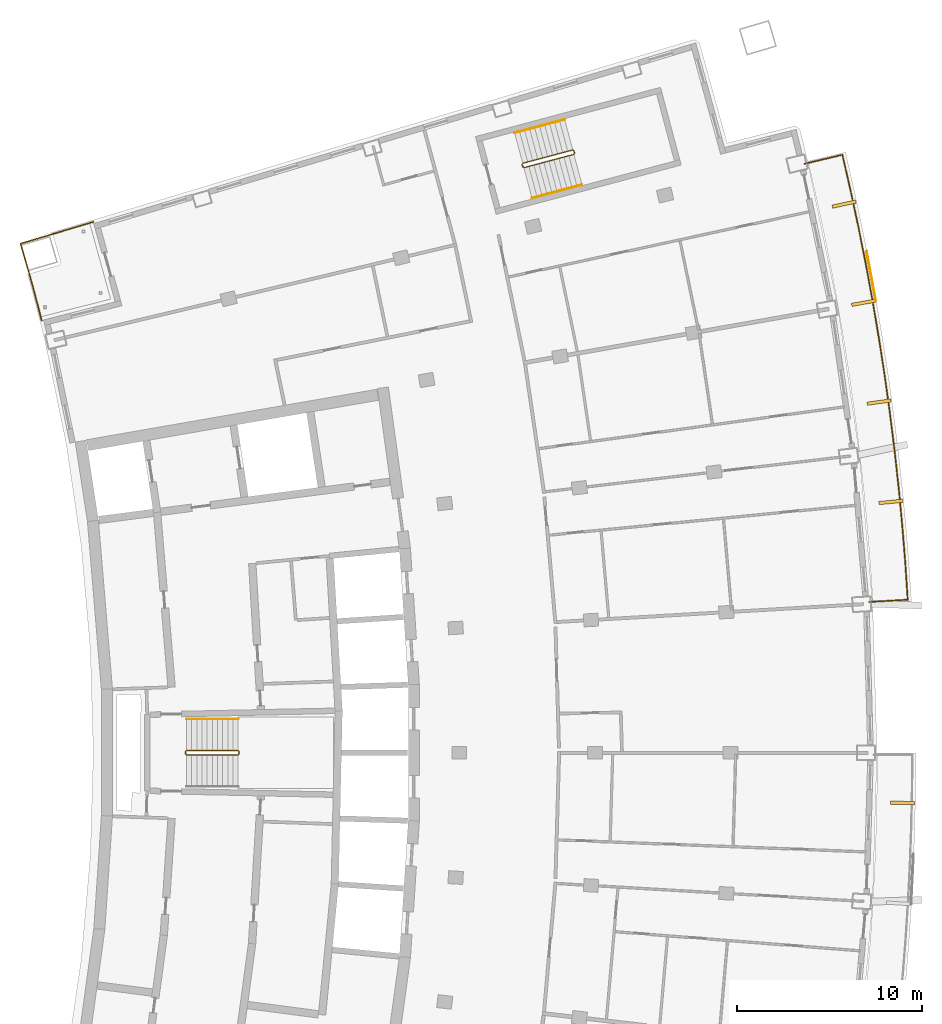
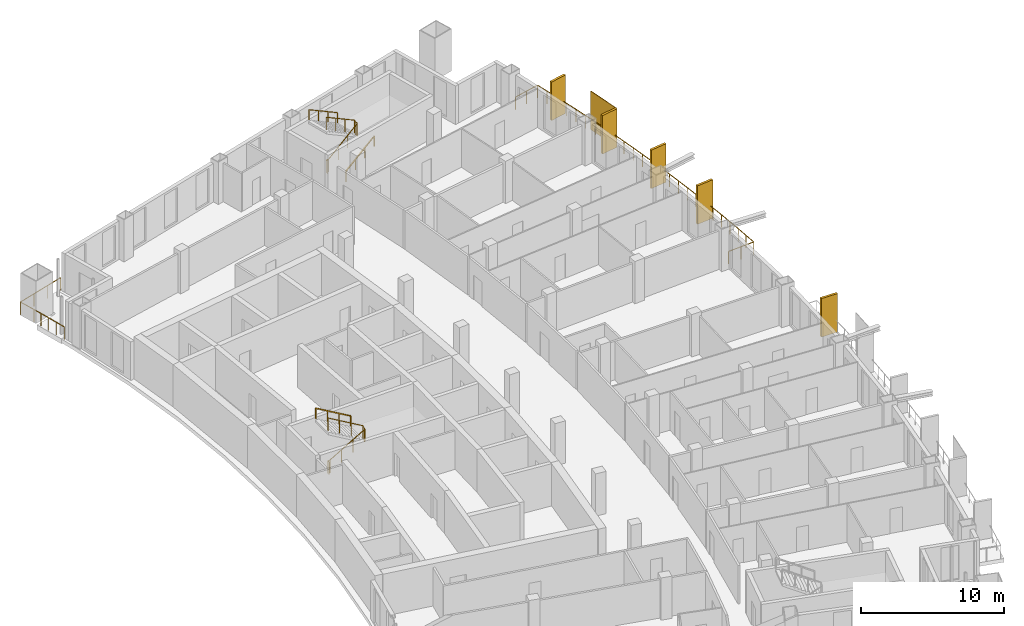
# One storey, part 17 of 17: 7 railings, 6 shading devices.
"""IFC4 building model written with IfcOpenShell, lengths in metres."""

from ifc_helpers import new_model, si_unit, direction, frame, origin, origin_2d, place, context, subcontext, project, spatial, rectangle, extrude, material, layer, layer_set, type_object, element, save


model = new_model("IFC4")

# Units and contexts
model_context = context("Model", 3, precision=1e-05, world=origin(), true_north=direction((0.0, 1.0)))
body_context = subcontext(model_context, "Body", "Model", "MODEL_VIEW")
ifc_project = project(units=[si_unit("LENGTHUNIT", "METRE"), si_unit("AREAUNIT", "SQUARE_METRE"), si_unit("VOLUMEUNIT", "CUBIC_METRE"), si_unit("PLANEANGLEUNIT", "RADIAN"), si_unit("MASSUNIT", "GRAM", prefix="KILO")], contexts=[model_context])

# Site, building, storey
site_placement = place(None, origin())
site = spatial("IfcSite", under=ifc_project, at=site_placement, CompositionType="ELEMENT")
building_placement = place(site_placement, origin())
building = spatial("IfcBuilding", under=site, at=building_placement, Name="Alderwake Tower", CompositionType="ELEMENT")
storey_placement = place(building_placement, frame((0.0, 0.0, 214.39990234375)))
storey = spatial("IfcBuildingStorey", under=building, at=storey_placement, Name="L53", CompositionType="ELEMENT", Elevation=214.39990234375)

# Railings
ifc_material_1 = material(Name="Stainless steel 316 rail and posts", Category="steel")
railing_type_1 = type_object("IfcRailingType", Name="Balcony guard 1100", PredefinedType="GUARDRAIL", material=ifc_material_1)
railing_1_placement = place(storey_placement, frame((57.959228515625, 69.155517578125, 0.0)))
element("IfcRailing", 1, at=railing_1_placement, inside=storey, type_object=railing_type_1, Name="Guard BF08", PredefinedType="GUARDRAIL", context=body_context, shape_type="SweptSolid", body=[
    extrude(rectangle(XDim=0.048095703125, YDim=0.048095703125, at=origin_2d()), frame((0.0, 0.0, 1.076171875), z_axis=(0.998261117553, 0.058946935313, 0.0), x_axis=(-0.058946935313, 0.998261117553, 0.0)), (0.0, 0.0, 1.0), 2.099853515625),
    extrude(rectangle(XDim=0.048095703125, YDim=0.048095703125, at=origin_2d()), frame((2.09619140625, 0.123779296875, 1.076171875), z_axis=(-0.065861216536, 0.997828793008, 0.0), x_axis=(-0.997828793008, -0.065861216536, 0.0)), (0.0, 0.0, 1.0), 1.946044921875),
    extrude(rectangle(XDim=0.048095703125, YDim=0.048095703125, at=origin_2d()), frame((1.968017578125, 2.065673828125, 1.076171875), z_axis=(-0.080191048977, 0.996779512061, 0.0), x_axis=(-0.996779512061, -0.080191048977, 0.0)), (0.0, 0.0, 1.0), 2.0458984375),
    extrude(rectangle(XDim=0.048095703125, YDim=0.048095703125, at=origin_2d()), frame((1.803955078125, 4.10498046875, 1.076171875), z_axis=(-0.094623268612, 0.995513152619, 0.0), x_axis=(-0.995513152619, -0.094623268612, 0.0)), (0.0, 0.0, 1.0), 2.046142578125),
    extrude(rectangle(XDim=0.048095703125, YDim=0.048095703125, at=origin_2d()), frame((1.6103515625, 6.141845703125, 1.076171875), z_axis=(-0.109174253205, 0.994022626723, 0.0), x_axis=(-0.994022626723, -0.109174253205, 0.0)), (0.0, 0.0, 1.0), 2.046142578125),
    extrude(rectangle(XDim=0.048095703125, YDim=0.048095703125, at=origin_2d()), frame((1.386962890625, 8.17578125, 1.076171875), z_axis=(-0.123623502309, 0.992329194208, 0.0), x_axis=(-0.992329194208, -0.123623502309, 0.0)), (0.0, 0.0, 1.0), 2.0458984375),
    extrude(rectangle(XDim=0.048095703125, YDim=0.048095703125, at=origin_2d()), frame((1.134033203125, 10.2060546875, 1.076171875), z_axis=(-0.138062649027, 0.990423497774, 0.0), x_axis=(-0.990423497774, -0.138062649027, 0.0)), (0.0, 0.0, 1.0), 2.0458984375),
    extrude(rectangle(XDim=0.048095703125, YDim=0.048095703125, at=origin_2d()), frame((0.8515625, 12.232421875, 1.076171875), z_axis=(-0.152487539839, 0.988305393183, 0.0), x_axis=(-0.988305393183, -0.152487539839, 0.0)), (0.0, 0.0, 1.0), 2.046142578125),
    extrude(rectangle(XDim=0.048095703125, YDim=0.048095703125, at=origin_2d()), frame((0.53955078125, 14.254638671875, 1.076171875), z_axis=(-0.167049252433, 0.985948552036, 0.0), x_axis=(-0.985948552036, -0.167049252433, 0.0)), (0.0, 0.0, 1.0), 2.046142578125),
    extrude(rectangle(XDim=0.048095703125, YDim=0.048095703125, at=origin_2d()), frame((0.19775390625, 16.27197265625, 1.076171875), z_axis=(-0.181268734219, 0.983433600196, 0.0), x_axis=(-0.983433600196, -0.181268734219, 0.0)), (0.0, 0.0, 1.0), 2.0458984375),
    extrude(rectangle(XDim=0.048095703125, YDim=0.048095703125, at=origin_2d()), frame((-0.173095703125, 18.283935546875, 1.076171875), z_axis=(-0.195565396752, 0.98069066254, 0.0), x_axis=(-0.98069066254, -0.195565396752, 0.0)), (0.0, 0.0, 1.0), 2.046142578125),
    extrude(rectangle(XDim=0.048095703125, YDim=0.048095703125, at=origin_2d()), frame((-0.5732421875, 20.29052734375, 1.076171875), z_axis=(-0.209912112269, 0.977720259135, 0.0), x_axis=(-0.977720259135, -0.209912112269, 0.0)), (0.0, 0.0, 1.0), 2.0458984375),
    extrude(rectangle(XDim=0.048095703125, YDim=0.048095703125, at=origin_2d()), frame((-1.002685546875, 22.290771484375, 1.076171875), z_axis=(-0.22380572243, 0.97463377666, 0.0), x_axis=(-0.97463377666, -0.22380572243, 0.0)), (0.0, 0.0, 1.0), 1.946044921875),
    extrude(rectangle(XDim=0.048095703125, YDim=0.048095703125, at=origin_2d()), frame((-1.438232421875, 24.1875, 1.076171875), z_axis=(-0.973057638874, -0.230561990427, 0.0), x_axis=(0.230561990427, -0.973057638874, 0.0)), (0.0, 0.0, 1.0), 2.099853515625),
    extrude(rectangle(XDim=0.0419921875, YDim=0.0419921875, at=origin_2d()), frame((0.0, 0.0, 0.0), z_axis=(0.0, 0.0, 1.0), x_axis=(0.998261117553, 0.058946935313, 0.0)), (0.0, 0.0, 1.0), 1.052001953125),
    extrude(rectangle(XDim=0.0419921875, YDim=0.0419921875, at=origin_2d()), frame((1.048095703125, 0.06201171875, 0.0), z_axis=(0.0, 0.0, 1.0), x_axis=(0.998261117553, 0.058946935313, 0.0)), (0.0, 0.0, 1.0), 1.052001953125),
    extrude(rectangle(XDim=0.0419921875, YDim=0.0419921875, at=origin_2d()), frame((2.09619140625, 0.123779296875, 0.0), z_axis=(0.0, 0.0, 1.0), x_axis=(-0.065861216536, 0.997828793008, 0.0)), (0.0, 0.0, 1.0), 1.052001953125),
    extrude(rectangle(XDim=0.0419921875, YDim=0.0419921875, at=origin_2d()), frame((2.0322265625, 1.0947265625, 0.0), z_axis=(0.0, 0.0, 1.0), x_axis=(-0.065861216536, 0.997828793008, 0.0)), (0.0, 0.0, 1.0), 1.052001953125),
    extrude(rectangle(XDim=0.0419921875, YDim=0.0419921875, at=origin_2d()), frame((1.968017578125, 2.065673828125, 0.0), z_axis=(0.0, 0.0, 1.0), x_axis=(-0.080191048977, 0.996779512061, 0.0)), (0.0, 0.0, 1.0), 1.052001953125),
    extrude(rectangle(XDim=0.0419921875, YDim=0.0419921875, at=origin_2d()), frame((1.885986328125, 3.08544921875, 0.0), z_axis=(0.0, 0.0, 1.0), x_axis=(-0.080191048977, 0.996779512061, 0.0)), (0.0, 0.0, 1.0), 1.052001953125),
    extrude(rectangle(XDim=0.0419921875, YDim=0.0419921875, at=origin_2d()), frame((1.803955078125, 4.10498046875, 0.0), z_axis=(0.0, 0.0, 1.0), x_axis=(-0.094623268612, 0.995513152619, 0.0)), (0.0, 0.0, 1.0), 1.052001953125),
    extrude(rectangle(XDim=0.0419921875, YDim=0.0419921875, at=origin_2d()), frame((1.70703125, 5.12353515625, 0.0), z_axis=(0.0, 0.0, 1.0), x_axis=(-0.094623268612, 0.995513152619, 0.0)), (0.0, 0.0, 1.0), 1.052001953125),
    extrude(rectangle(XDim=0.0419921875, YDim=0.0419921875, at=origin_2d()), frame((1.6103515625, 6.141845703125, 0.0), z_axis=(0.0, 0.0, 1.0), x_axis=(-0.109174253205, 0.994022626723, 0.0)), (0.0, 0.0, 1.0), 1.052001953125),
    extrude(rectangle(XDim=0.0419921875, YDim=0.0419921875, at=origin_2d()), frame((1.49853515625, 7.15869140625, 0.0), z_axis=(0.0, 0.0, 1.0), x_axis=(-0.109174253205, 0.994022626723, 0.0)), (0.0, 0.0, 1.0), 1.052001953125),
    extrude(rectangle(XDim=0.0419921875, YDim=0.0419921875, at=origin_2d()), frame((1.386962890625, 8.17578125, 0.0), z_axis=(0.0, 0.0, 1.0), x_axis=(-0.123623502309, 0.992329194208, 0.0)), (0.0, 0.0, 1.0), 1.052001953125),
    extrude(rectangle(XDim=0.0419921875, YDim=0.0419921875, at=origin_2d()), frame((1.260498046875, 9.19091796875, 0.0), z_axis=(0.0, 0.0, 1.0), x_axis=(-0.123623502309, 0.992329194208, 0.0)), (0.0, 0.0, 1.0), 1.052001953125),
    extrude(rectangle(XDim=0.0419921875, YDim=0.0419921875, at=origin_2d()), frame((1.134033203125, 10.2060546875, 0.0), z_axis=(0.0, 0.0, 1.0), x_axis=(-0.138062649027, 0.990423497774, 0.0)), (0.0, 0.0, 1.0), 1.052001953125),
    extrude(rectangle(XDim=0.0419921875, YDim=0.0419921875, at=origin_2d()), frame((0.99267578125, 11.21923828125, 0.0), z_axis=(0.0, 0.0, 1.0), x_axis=(-0.138062649027, 0.990423497774, 0.0)), (0.0, 0.0, 1.0), 1.052001953125),
    extrude(rectangle(XDim=0.0419921875, YDim=0.0419921875, at=origin_2d()), frame((0.8515625, 12.232421875, 0.0), z_axis=(0.0, 0.0, 1.0), x_axis=(-0.152487539839, 0.988305393183, 0.0)), (0.0, 0.0, 1.0), 1.052001953125),
    extrude(rectangle(XDim=0.0419921875, YDim=0.0419921875, at=origin_2d()), frame((0.695556640625, 13.24365234375, 0.0), z_axis=(0.0, 0.0, 1.0), x_axis=(-0.152487539839, 0.988305393183, 0.0)), (0.0, 0.0, 1.0), 1.052001953125),
    extrude(rectangle(XDim=0.0419921875, YDim=0.0419921875, at=origin_2d()), frame((0.53955078125, 14.254638671875, 0.0), z_axis=(0.0, 0.0, 1.0), x_axis=(-0.167049252433, 0.985948552036, 0.0)), (0.0, 0.0, 1.0), 1.052001953125),
    extrude(rectangle(XDim=0.0419921875, YDim=0.0419921875, at=origin_2d()), frame((0.36865234375, 15.26318359375, 0.0), z_axis=(0.0, 0.0, 1.0), x_axis=(-0.167049252433, 0.985948552036, 0.0)), (0.0, 0.0, 1.0), 1.052001953125),
    extrude(rectangle(XDim=0.0419921875, YDim=0.0419921875, at=origin_2d()), frame((0.19775390625, 16.27197265625, 0.0), z_axis=(0.0, 0.0, 1.0), x_axis=(-0.181268734219, 0.983433600196, 0.0)), (0.0, 0.0, 1.0), 1.052001953125),
    extrude(rectangle(XDim=0.0419921875, YDim=0.0419921875, at=origin_2d()), frame((0.01220703125, 17.27783203125, 0.0), z_axis=(0.0, 0.0, 1.0), x_axis=(-0.181268734219, 0.983433600196, 0.0)), (0.0, 0.0, 1.0), 1.052001953125),
    extrude(rectangle(XDim=0.0419921875, YDim=0.0419921875, at=origin_2d()), frame((-0.173095703125, 18.283935546875, 0.0), z_axis=(0.0, 0.0, 1.0), x_axis=(-0.195565396752, 0.98069066254, 0.0)), (0.0, 0.0, 1.0), 1.052001953125),
    extrude(rectangle(XDim=0.0419921875, YDim=0.0419921875, at=origin_2d()), frame((-0.373046875, 19.287109375, 0.0), z_axis=(0.0, 0.0, 1.0), x_axis=(-0.195565396752, 0.98069066254, 0.0)), (0.0, 0.0, 1.0), 1.052001953125),
    extrude(rectangle(XDim=0.0419921875, YDim=0.0419921875, at=origin_2d()), frame((-0.5732421875, 20.29052734375, 0.0), z_axis=(0.0, 0.0, 1.0), x_axis=(-0.209912112269, 0.977720259135, 0.0)), (0.0, 0.0, 1.0), 1.052001953125),
    extrude(rectangle(XDim=0.0419921875, YDim=0.0419921875, at=origin_2d()), frame((-0.7880859375, 21.29052734375, 0.0), z_axis=(0.0, 0.0, 1.0), x_axis=(-0.209912112269, 0.977720259135, 0.0)), (0.0, 0.0, 1.0), 1.052001953125),
    extrude(rectangle(XDim=0.0419921875, YDim=0.0419921875, at=origin_2d()), frame((-1.002685546875, 22.290771484375, 0.0), z_axis=(0.0, 0.0, 1.0), x_axis=(-0.22380572243, 0.97463377666, 0.0)), (0.0, 0.0, 1.0), 1.052001953125),
    extrude(rectangle(XDim=0.0419921875, YDim=0.0419921875, at=origin_2d()), frame((-1.220458984375, 23.2392578125, 0.0), z_axis=(0.0, 0.0, 1.0), x_axis=(-0.22380572243, 0.97463377666, 0.0)), (0.0, 0.0, 1.0), 1.052001953125),
    extrude(rectangle(XDim=0.0419921875, YDim=0.0419921875, at=origin_2d()), frame((-1.438232421875, 24.1875, 0.0), z_axis=(0.0, 0.0, 1.0), x_axis=(-0.973057638874, -0.230561990427, 0.0)), (0.0, 0.0, 1.0), 1.052001953125),
    extrude(rectangle(XDim=0.0419921875, YDim=0.0419921875, at=origin_2d()), frame((-2.4599609375, 23.9453125, 0.0), z_axis=(0.0, 0.0, 1.0), x_axis=(-0.973057638874, -0.230561990427, 0.0)), (0.0, 0.0, 1.0), 1.052001953125),
    extrude(rectangle(XDim=0.0419921875, YDim=0.0419921875, at=origin_2d()), frame((-3.4814453125, 23.703369140625, 0.0), z_axis=(0.0, 0.0, 1.0), x_axis=(-0.973057638874, -0.230561990427, 0.0)), (0.0, 0.0, 1.0), 1.052001953125),
])
railing_2_placement = place(storey_placement, frame((13.210693359375, 84.387451171875, 0.0)))
element("IfcRailing", 2, at=railing_2_placement, inside=storey, type_object=railing_type_1, Name="Guard terrace RN", PredefinedType="GUARDRAIL", context=body_context, shape_type="SweptSolid", body=[
    extrude(rectangle(XDim=0.048095703125, YDim=0.048095703125, at=origin_2d()), frame((0.0, 0.0, 1.076171875), z_axis=(-0.251385381433, 0.967887075026, 0.0), x_axis=(-0.967887075026, -0.251385381433, 0.0)), (0.0, 0.0, 1.0), 1.6015625),
    extrude(rectangle(XDim=0.048095703125, YDim=0.048095703125, at=origin_2d()), frame((-0.402587890625, 1.550048828125, 1.076171875), z_axis=(-0.266520638672, 0.963829211615, 0.0), x_axis=(-0.963829211615, -0.266520638672, 0.0)), (0.0, 0.0, 1.0), 1.401611328125),
    extrude(rectangle(XDim=0.048095703125, YDim=0.048095703125, at=origin_2d()), frame((-0.776123046875, 2.90087890625, 1.076171875), z_axis=(-0.280093650878, 0.959972680204, 0.0), x_axis=(-0.959972680204, -0.280093650878, 0.0)), (0.0, 0.0, 1.0), 1.30126953125),
    extrude(rectangle(XDim=0.048095703125, YDim=0.048095703125, at=origin_2d()), frame((-1.140625, 4.150146484375, 1.076171875), z_axis=(0.958066871889, 0.286544706789, 0.0), x_axis=(-0.286544706789, 0.958066871889, 0.0)), (0.0, 0.0, 1.0), 4.099853515625),
    extrude(rectangle(XDim=0.0419921875, YDim=0.0419921875, at=origin_2d()), frame((0.0, 0.0, 0.0), z_axis=(0.0, 0.0, 1.0), x_axis=(-0.251385381433, 0.967887075026, 0.0)), (0.0, 0.0, 1.0), 1.052001953125),
    extrude(rectangle(XDim=0.0419921875, YDim=0.0419921875, at=origin_2d()), frame((-0.201171875, 0.77490234375, 0.0), z_axis=(0.0, 0.0, 1.0), x_axis=(-0.251385381433, 0.967887075026, 0.0)), (0.0, 0.0, 1.0), 1.052001953125),
    extrude(rectangle(XDim=0.0419921875, YDim=0.0419921875, at=origin_2d()), frame((-0.402587890625, 1.550048828125, 0.0), z_axis=(0.0, 0.0, 1.0), x_axis=(-0.266520638672, 0.963829211615, 0.0)), (0.0, 0.0, 1.0), 1.052001953125),
    extrude(rectangle(XDim=0.0419921875, YDim=0.0419921875, at=origin_2d()), frame((-0.58935546875, 2.2255859375, 0.0), z_axis=(0.0, 0.0, 1.0), x_axis=(-0.266520638672, 0.963829211615, 0.0)), (0.0, 0.0, 1.0), 1.052001953125),
    extrude(rectangle(XDim=0.0419921875, YDim=0.0419921875, at=origin_2d()), frame((-0.776123046875, 2.90087890625, 0.0), z_axis=(0.0, 0.0, 1.0), x_axis=(-0.280093650878, 0.959972680204, 0.0)), (0.0, 0.0, 1.0), 1.052001953125),
    extrude(rectangle(XDim=0.0419921875, YDim=0.0419921875, at=origin_2d()), frame((-1.140625, 4.150146484375, 0.0), z_axis=(0.0, 0.0, 1.0), x_axis=(0.958066871889, 0.286544706789, 0.0)), (0.0, 0.0, 1.0), 1.052001953125),
    extrude(rectangle(XDim=0.0419921875, YDim=0.0419921875, at=origin_2d()), frame((0.168701171875, 4.541748046875, 0.0), z_axis=(0.0, 0.0, 1.0), x_axis=(0.958066871889, 0.286544706789, 0.0)), (0.0, 0.0, 1.0), 1.052001953125),
    extrude(rectangle(XDim=0.0419921875, YDim=0.0419921875, at=origin_2d()), frame((1.47802734375, 4.933349609375, 0.0), z_axis=(0.0, 0.0, 1.0), x_axis=(0.958066871889, 0.286544706789, 0.0)), (0.0, 0.0, 1.0), 1.052001953125),
    extrude(rectangle(XDim=0.0419921875, YDim=0.0419921875, at=origin_2d()), frame((2.787353515625, 5.324951171875, 0.0), z_axis=(0.0, 0.0, 1.0), x_axis=(0.958066871889, 0.286544706789, 0.0)), (0.0, 0.0, 1.0), 1.052001953125),
])

# Shading devices
ifc_material_2 = material(Name="Bronze anodised aluminium", Category="aluminium")
ifc_layer_1 = layer(ifc_material_2, 0.179931640625)
ifc_layer_set_1 = layer_set([ifc_layer_1], Name="Facade fin 1300")
shading_device_type_1 = type_object("IfcShadingDeviceType", Name="Facade fin 1300", PredefinedType="USERDEFINED", material=ifc_layer_set_1)
for number, where, z_axis, x_axis, name in (
    (3, (59.773681640625, 58.2880859375, 0.0), (0.0, 0.0, 1.0), (0.999811838809, -0.019398117887, 0.0), "Fin"),
    (4, (59.14013671875, 74.567138671875, 0.0), (0.0, 0.0, 1.0), (0.995279882363, 0.097046152751, 0.0), "Fin"),
    (5, (58.507080078125, 79.968017578125, 0.0), (0.0, 0.0, 1.0), (0.990752577235, 0.135680988728, 0.0), "Fin"),
    (6, (57.664794921875, 85.34033203125, 0.0), (0.0, 0.0, 1.0), (0.984726421654, 0.174108800747, 0.0), "Fin"),
    (7, (56.614013671875, 90.67578125, 0.0), (0.0, 0.0, 1.0), (0.977210363881, 0.212273184185, 0.0), "Fin"),
):
    element("IfcShadingDevice", number, at=place(storey_placement, frame(where, z_axis=z_axis, x_axis=x_axis)), inside=storey, type_object=shading_device_type_1, Name=name, ObjectType="FIN", PredefinedType="USERDEFINED", context=body_context, shape_type="SweptSolid", body=[
        extrude(rectangle(XDim=1.300048828125, YDim=0.179931640625, at=origin_2d()), origin(), (0.0, 0.0, 1.0), 3.280029296875),
    ])
ifc_material_3 = material(Name="Perforated bronze anodised aluminium", Category="aluminium")
ifc_layer_2 = layer(ifc_material_3, 0.050048828125)
ifc_layer_set_2 = layer_set([ifc_layer_2], Name="Perforated screen panel")
shading_device_type_2 = type_object("IfcShadingDeviceType", Name="Perforated screen panel", PredefinedType="USERDEFINED", material=ifc_layer_set_2)
shading_device_placement = place(storey_placement, frame((58.0791015625, 86.79736328125, 0.0), z_axis=(0.0, 0.0, 1.0), x_axis=(0.982991488043, 0.183651121519, 0.0)))
element("IfcShadingDevice", 8, at=shading_device_placement, inside=storey, type_object=shading_device_type_2, Name="Screen panel", ObjectType="SCREEN", PredefinedType="USERDEFINED", context=body_context, shape_type="SweptSolid", body=[
    extrude(rectangle(XDim=0.050048828125, YDim=2.72509765625, at=origin_2d()), origin(), (0.0, 0.0, 1.0), 3.280029296875),
])

# Railings
ifc_material_4 = material(Name="Stainless steel guard", Category="steel")
railing_type_2 = type_object("IfcRailingType", Name="Stair guard 1100", PredefinedType="GUARDRAIL", material=ifc_material_4)
railing_3_placement = place(storey_placement, frame((20.989990234375, 60.925048828125, 0.0)))
element("IfcRailing", 9, at=railing_3_placement, inside=storey, type_object=railing_type_2, Name="L53 ST-B stair guard 1", PredefinedType="GUARDRAIL", context=body_context, shape_type="SweptSolid", body=[
    extrude(rectangle(XDim=0.048095703125, YDim=0.048095703125, at=origin_2d()), frame((0.0, 0.0, 1.076171875), z_axis=(0.0, 1.0, 0.0), x_axis=(-1.0, 0.0, 0.0)), (0.0, 0.0, 1.0), 0.14990234375),
    extrude(rectangle(XDim=0.048095703125, YDim=0.048095703125, at=origin_2d()), frame((0.0, 0.14990234375, 1.076171875), z_axis=(0.190089865108, -0.759432192796, 0.622196582865), x_axis=(0.970072785993, 0.242814311512, 0.0)), (0.0, 0.0, 1.0), 0.26318359375),
    extrude(rectangle(XDim=0.048095703125, YDim=0.048095703125, at=origin_2d()), frame((0.050048828125, -0.050048828125, 1.23974609375), z_axis=(0.863393664356, 0.0, 0.504530851732), x_axis=(0.0, 1.0, 0.0)), (0.0, 0.0, 1.0), 3.2431640625),
    extrude(rectangle(XDim=0.048095703125, YDim=0.048095703125, at=origin_2d()), frame((2.85009765625, -0.050048828125, 2.8759765625), z_axis=(0.705375805398, 0.708833529934, 0.0), x_axis=(-0.708833529934, 0.705375805398, 0.0)), (0.0, 0.0, 1.0), 0.070556640625),
    extrude(rectangle(XDim=0.048095703125, YDim=0.048095703125, at=origin_2d()), frame((2.89990234375, 0.0, 2.8759765625), z_axis=(0.0, 1.0, 0.0), x_axis=(-1.0, 0.0, 0.0)), (0.0, 0.0, 1.0), 0.14990234375),
    extrude(rectangle(XDim=0.048095703125, YDim=0.048095703125, at=origin_2d()), frame((2.89990234375, 0.14990234375, 2.8759765625), z_axis=(-0.279546231943, 0.280916556609, 0.91811752648), x_axis=(-0.708833529934, -0.705375805398, 0.0)), (0.0, 0.0, 1.0), 0.17822265625),
    extrude(rectangle(XDim=0.048095703125, YDim=0.048095703125, at=origin_2d()), frame((2.85009765625, 0.199951171875, 3.03955078125), z_axis=(-0.863360870873, 0.0, 0.504586966384), x_axis=(0.0, -1.0, 0.0)), (0.0, 0.0, 1.0), 3.2431640625),
    extrude(rectangle(XDim=0.0419921875, YDim=0.0419921875, at=origin_2d()), frame((0.0, 0.0, 0.0), z_axis=(0.0, 0.0, 1.0), x_axis=(0.0, 1.0, 0.0)), (0.0, 0.0, 1.0), 1.052001953125),
    extrude(rectangle(XDim=0.0419921875, YDim=0.0419921875, at=origin_2d()), frame((0.0, 0.14990234375, 0.0), z_axis=(0.0, 0.0, 1.0), x_axis=(0.242814311512, -0.970072785993, 0.0)), (0.0, 0.0, 1.0), 1.052001953125),
    extrude(rectangle(XDim=0.0419921875, YDim=0.0419921875, at=origin_2d()), frame((0.050048828125, -0.050048828125, 0.163818359375), z_axis=(0.0, 0.0, 1.0), x_axis=(1.0, 0.0, 0.0)), (0.0, 0.0, 1.0), 1.052001953125),
    extrude(rectangle(XDim=0.0419921875, YDim=0.0419921875, at=origin_2d()), frame((0.9833984375, -0.050048828125, 0.709228515625), z_axis=(0.0, 0.0, 1.0), x_axis=(1.0, 0.0, 0.0)), (0.0, 0.0, 1.0), 1.052001953125),
    extrude(rectangle(XDim=0.0419921875, YDim=0.0419921875, at=origin_2d()), frame((1.916748046875, -0.050048828125, 1.254638671875), z_axis=(0.0, 0.0, 1.0), x_axis=(1.0, 0.0, 0.0)), (0.0, 0.0, 1.0), 1.052001953125),
    extrude(rectangle(XDim=0.0419921875, YDim=0.0419921875, at=origin_2d()), frame((2.85009765625, -0.050048828125, 1.800048828125), z_axis=(0.0, 0.0, 1.0), x_axis=(0.705375805398, 0.708833529934, 0.0)), (0.0, 0.0, 1.0), 1.052001953125),
    extrude(rectangle(XDim=0.0419921875, YDim=0.0419921875, at=origin_2d()), frame((2.89990234375, 0.0, 1.800048828125), z_axis=(0.0, 0.0, 1.0), x_axis=(0.0, 1.0, 0.0)), (0.0, 0.0, 1.0), 1.052001953125),
    extrude(rectangle(XDim=0.0419921875, YDim=0.0419921875, at=origin_2d()), frame((2.89990234375, 0.14990234375, 1.800048828125), z_axis=(0.0, 0.0, 1.0), x_axis=(-0.705375805398, 0.708833529934, 0.0)), (0.0, 0.0, 1.0), 1.052001953125),
    extrude(rectangle(XDim=0.0419921875, YDim=0.0419921875, at=origin_2d()), frame((2.85009765625, 0.199951171875, 1.963623046875), z_axis=(0.0, 0.0, 1.0), x_axis=(-1.0, 0.0, 0.0)), (0.0, 0.0, 1.0), 1.052001953125),
    extrude(rectangle(XDim=0.0419921875, YDim=0.0419921875, at=origin_2d()), frame((1.916748046875, 0.199951171875, 2.509033203125), z_axis=(0.0, 0.0, 1.0), x_axis=(-1.0, 0.0, 0.0)), (0.0, 0.0, 1.0), 1.052001953125),
    extrude(rectangle(XDim=0.0419921875, YDim=0.0419921875, at=origin_2d()), frame((0.9833984375, 0.199951171875, 3.0546875), z_axis=(0.0, 0.0, 1.0), x_axis=(-1.0, 0.0, 0.0)), (0.0, 0.0, 1.0), 1.052001953125),
    extrude(rectangle(XDim=0.0419921875, YDim=0.0419921875, at=origin_2d()), frame((0.050048828125, 0.199951171875, 3.60009765625), z_axis=(0.0, 0.0, 1.0), x_axis=(-1.0, 0.0, 0.0)), (0.0, 0.0, 1.0), 1.052001953125),
])
railing_4_placement = place(storey_placement, frame((39.23291015625, 92.6806640625, 0.0)))
element("IfcRailing", 10, at=railing_4_placement, inside=storey, type_object=railing_type_2, Name="L53 ST-A stair guard 1", PredefinedType="GUARDRAIL", context=body_context, shape_type="SweptSolid", body=[
    extrude(rectangle(XDim=0.048095703125, YDim=0.048095703125, at=origin_2d()), frame((0.0, 0.0, 1.076171875), z_axis=(-0.257055032184, 0.966396766566, 0.0), x_axis=(-0.966396766566, -0.257055032184, 0.0)), (0.0, 0.0, 1.0), 0.150146484375),
    extrude(rectangle(XDim=0.048095703125, YDim=0.048095703125, at=origin_2d()), frame((-0.03857421875, 0.14501953125, 1.076171875), z_axis=(0.379152066478, -0.68506938173, 0.622031874345), x_axis=(0.874937996095, 0.484234966715, 0.0)), (0.0, 0.0, 1.0), 0.263427734375),
    extrude(rectangle(XDim=0.048095703125, YDim=0.048095703125, at=origin_2d()), frame((0.061279296875, -0.035400390625, 1.23974609375), z_axis=(0.834290631165, 0.222236594766, 0.504549342183), x_axis=(-0.257402139082, 0.966304371715, 0.0)), (0.0, 0.0, 1.0), 3.242919921875),
    extrude(rectangle(XDim=0.048095703125, YDim=0.048095703125, at=origin_2d()), frame((2.766845703125, 0.685302734375, 2.8759765625), z_axis=(0.500220121494, 0.865898279276, 0.0), x_axis=(-0.865898279276, 0.500220121494, 0.0)), (0.0, 0.0, 1.0), 0.07080078125),
    extrude(rectangle(XDim=0.048095703125, YDim=0.048095703125, at=origin_2d()), frame((2.80224609375, 0.74658203125, 2.8759765625), z_axis=(-0.257459803502, 0.966289009345, 0.0), x_axis=(-0.966289009345, -0.257459803502, 0.0)), (0.0, 0.0, 1.0), 0.14990234375),
    extrude(rectangle(XDim=0.048095703125, YDim=0.048095703125, at=origin_2d()), frame((2.763671875, 0.891357421875, 2.8759765625), z_axis=(-0.34252489212, 0.200034536998, 0.917966710881), x_axis=(-0.504300490226, -0.863528236688, 0.0)), (0.0, 0.0, 1.0), 0.17822265625),
    extrude(rectangle(XDim=0.048095703125, YDim=0.048095703125, at=origin_2d()), frame((2.70263671875, 0.927001953125, 3.03955078125), z_axis=(-0.834281824786, -0.222214197128, 0.504573768072), x_axis=(0.257380452725, -0.966310148221, 0.0)), (0.0, 0.0, 1.0), 3.2431640625),
    extrude(rectangle(XDim=0.0419921875, YDim=0.0419921875, at=origin_2d()), frame((0.0, 0.0, 0.0), z_axis=(0.0, 0.0, 1.0), x_axis=(-0.257055032184, 0.966396766566, 0.0)), (0.0, 0.0, 1.0), 1.052001953125),
    extrude(rectangle(XDim=0.0419921875, YDim=0.0419921875, at=origin_2d()), frame((-0.03857421875, 0.14501953125, 0.0), z_axis=(0.0, 0.0, 1.0), x_axis=(0.484234966715, -0.874937996095, 0.0)), (0.0, 0.0, 1.0), 1.052001953125),
    extrude(rectangle(XDim=0.0419921875, YDim=0.0419921875, at=origin_2d()), frame((0.061279296875, -0.035400390625, 0.163818359375), z_axis=(0.0, 0.0, 1.0), x_axis=(0.966304371715, 0.257402139082, 0.0)), (0.0, 0.0, 1.0), 1.052001953125),
    extrude(rectangle(XDim=0.0419921875, YDim=0.0419921875, at=origin_2d()), frame((0.963134765625, 0.204833984375, 0.709228515625), z_axis=(0.0, 0.0, 1.0), x_axis=(0.966304371715, 0.257402139082, 0.0)), (0.0, 0.0, 1.0), 1.052001953125),
    extrude(rectangle(XDim=0.0419921875, YDim=0.0419921875, at=origin_2d()), frame((1.864990234375, 0.445068359375, 1.254638671875), z_axis=(0.0, 0.0, 1.0), x_axis=(0.966304371715, 0.257402139082, 0.0)), (0.0, 0.0, 1.0), 1.052001953125),
    extrude(rectangle(XDim=0.0419921875, YDim=0.0419921875, at=origin_2d()), frame((2.766845703125, 0.685302734375, 1.800048828125), z_axis=(0.0, 0.0, 1.0), x_axis=(0.500220121494, 0.865898279276, 0.0)), (0.0, 0.0, 1.0), 1.052001953125),
    extrude(rectangle(XDim=0.0419921875, YDim=0.0419921875, at=origin_2d()), frame((2.80224609375, 0.74658203125, 1.800048828125), z_axis=(0.0, 0.0, 1.0), x_axis=(-0.257459803502, 0.966289009345, 0.0)), (0.0, 0.0, 1.0), 1.052001953125),
    extrude(rectangle(XDim=0.0419921875, YDim=0.0419921875, at=origin_2d()), frame((2.763671875, 0.891357421875, 1.800048828125), z_axis=(0.0, 0.0, 1.0), x_axis=(-0.863528236688, 0.504300490226, 0.0)), (0.0, 0.0, 1.0), 1.052001953125),
    extrude(rectangle(XDim=0.0419921875, YDim=0.0419921875, at=origin_2d()), frame((2.70263671875, 0.927001953125, 1.963623046875), z_axis=(0.0, 0.0, 1.0), x_axis=(-0.966310148221, -0.257380452725, 0.0)), (0.0, 0.0, 1.0), 1.052001953125),
    extrude(rectangle(XDim=0.0419921875, YDim=0.0419921875, at=origin_2d()), frame((1.80078125, 0.686767578125, 2.509033203125), z_axis=(0.0, 0.0, 1.0), x_axis=(-0.966310148221, -0.257380452725, 0.0)), (0.0, 0.0, 1.0), 1.052001953125),
    extrude(rectangle(XDim=0.0419921875, YDim=0.0419921875, at=origin_2d()), frame((0.898681640625, 0.446533203125, 3.0546875), z_axis=(0.0, 0.0, 1.0), x_axis=(-0.966310148221, -0.257380452725, 0.0)), (0.0, 0.0, 1.0), 1.052001953125),
    extrude(rectangle(XDim=0.0419921875, YDim=0.0419921875, at=origin_2d()), frame((-0.003173828125, 0.206298828125, 3.60009765625), z_axis=(0.0, 0.0, 1.0), x_axis=(-0.966310148221, -0.257380452725, 0.0)), (0.0, 0.0, 1.0), 1.052001953125),
])
ifc_material_5 = material(Name="Stainless steel handrail", Category="steel")
railing_type_3 = type_object("IfcRailingType", Name="Stair handrail 900", PredefinedType="HANDRAIL", material=ifc_material_5)
railing_5_placement = place(storey_placement, frame((23.840087890625, 62.824951171875, 1.963623046875)))
element("IfcRailing", 11, at=railing_5_placement, inside=storey, type_object=railing_type_3, Name="L53 ST-B stair handrail 2", PredefinedType="HANDRAIL", context=body_context, shape_type="SweptSolid", body=[
    extrude(rectangle(XDim=0.048095703125, YDim=0.048095703125, at=origin_2d()), frame((0.0, 0.0, 0.8759765625), z_axis=(-0.863360870873, 0.0, 0.504586966384), x_axis=(0.0, -1.0, 0.0)), (0.0, 0.0, 1.0), 3.2431640625),
    extrude(rectangle(XDim=0.0419921875, YDim=0.0419921875, at=origin_2d()), frame((0.0, 0.0, 0.0), z_axis=(0.0, 0.0, 1.0), x_axis=(-1.0, 0.0, 0.0)), (0.0, 0.0, 1.0), 0.851806640625),
    extrude(rectangle(XDim=0.0419921875, YDim=0.0419921875, at=origin_2d()), frame((-0.933349609375, 0.0, 0.54541015625), z_axis=(0.0, 0.0, 1.0), x_axis=(-1.0, 0.0, 0.0)), (0.0, 0.0, 1.0), 0.851806640625),
    extrude(rectangle(XDim=0.0419921875, YDim=0.0419921875, at=origin_2d()), frame((-1.86669921875, 0.0, 1.091064453125), z_axis=(0.0, 0.0, 1.0), x_axis=(-1.0, 0.0, 0.0)), (0.0, 0.0, 1.0), 0.851806640625),
    extrude(rectangle(XDim=0.0419921875, YDim=0.0419921875, at=origin_2d()), frame((-2.800048828125, 0.0, 1.636474609375), z_axis=(0.0, 0.0, 1.0), x_axis=(-1.0, 0.0, 0.0)), (0.0, 0.0, 1.0), 0.851806640625),
])
railing_6_placement = place(storey_placement, frame((39.731689453125, 91.002685546875, 0.163818359375)))
element("IfcRailing", 12, at=railing_6_placement, inside=storey, type_object=railing_type_3, Name="L53 ST-A stair handrail 1", PredefinedType="HANDRAIL", context=body_context, shape_type="SweptSolid", body=[
    extrude(rectangle(XDim=0.048095703125, YDim=0.048095703125, at=origin_2d()), frame((0.0, 0.0, 0.8759765625), z_axis=(0.834290631165, 0.222236594766, 0.504549342183), x_axis=(-0.257402139082, 0.966304371715, 0.0)), (0.0, 0.0, 1.0), 3.242919921875),
    extrude(rectangle(XDim=0.0419921875, YDim=0.0419921875, at=origin_2d()), frame((0.0, 0.0, 0.0), z_axis=(0.0, 0.0, 1.0), x_axis=(0.966304371715, 0.257402139082, 0.0)), (0.0, 0.0, 1.0), 0.851806640625),
    extrude(rectangle(XDim=0.0419921875, YDim=0.0419921875, at=origin_2d()), frame((0.90185546875, 0.240234375, 0.54541015625), z_axis=(0.0, 0.0, 1.0), x_axis=(0.966304371715, 0.257402139082, 0.0)), (0.0, 0.0, 1.0), 0.851806640625),
    extrude(rectangle(XDim=0.0419921875, YDim=0.0419921875, at=origin_2d()), frame((1.8037109375, 0.48046875, 1.0908203125), z_axis=(0.0, 0.0, 1.0), x_axis=(0.966304371715, 0.257402139082, 0.0)), (0.0, 0.0, 1.0), 0.851806640625),
    extrude(rectangle(XDim=0.0419921875, YDim=0.0419921875, at=origin_2d()), frame((2.70556640625, 0.720703125, 1.63623046875), z_axis=(0.0, 0.0, 1.0), x_axis=(0.966304371715, 0.257402139082, 0.0)), (0.0, 0.0, 1.0), 0.851806640625),
])
railing_7_placement = place(storey_placement, frame((41.497802734375, 95.250244140625, 1.963623046875)))
element("IfcRailing", 13, at=railing_7_placement, inside=storey, type_object=railing_type_3, Name="L53 ST-A stair handrail 2", PredefinedType="HANDRAIL", context=body_context, shape_type="SweptSolid", body=[
    extrude(rectangle(XDim=0.048095703125, YDim=0.048095703125, at=origin_2d()), frame((0.0, 0.0, 0.8759765625), z_axis=(-0.834258940753, -0.22222815314, 0.504605457487), x_axis=(0.257402139082, -0.966304371715, 0.0)), (0.0, 0.0, 1.0), 3.2431640625),
    extrude(rectangle(XDim=0.0419921875, YDim=0.0419921875, at=origin_2d()), frame((0.0, 0.0, 0.0), z_axis=(0.0, 0.0, 1.0), x_axis=(-0.966304371715, -0.257402139082, 0.0)), (0.0, 0.0, 1.0), 0.851806640625),
    extrude(rectangle(XDim=0.0419921875, YDim=0.0419921875, at=origin_2d()), frame((-0.90185546875, -0.240234375, 0.54541015625), z_axis=(0.0, 0.0, 1.0), x_axis=(-0.966304371715, -0.257402139082, 0.0)), (0.0, 0.0, 1.0), 0.851806640625),
    extrude(rectangle(XDim=0.0419921875, YDim=0.0419921875, at=origin_2d()), frame((-1.8037109375, -0.48046875, 1.091064453125), z_axis=(0.0, 0.0, 1.0), x_axis=(-0.966304371715, -0.257402139082, 0.0)), (0.0, 0.0, 1.0), 0.851806640625),
    extrude(rectangle(XDim=0.0419921875, YDim=0.0419921875, at=origin_2d()), frame((-2.70556640625, -0.720703125, 1.636474609375), z_axis=(0.0, 0.0, 1.0), x_axis=(-0.966304371715, -0.257402139082, 0.0)), (0.0, 0.0, 1.0), 0.851806640625),
])

save(model, "model.ifc")
